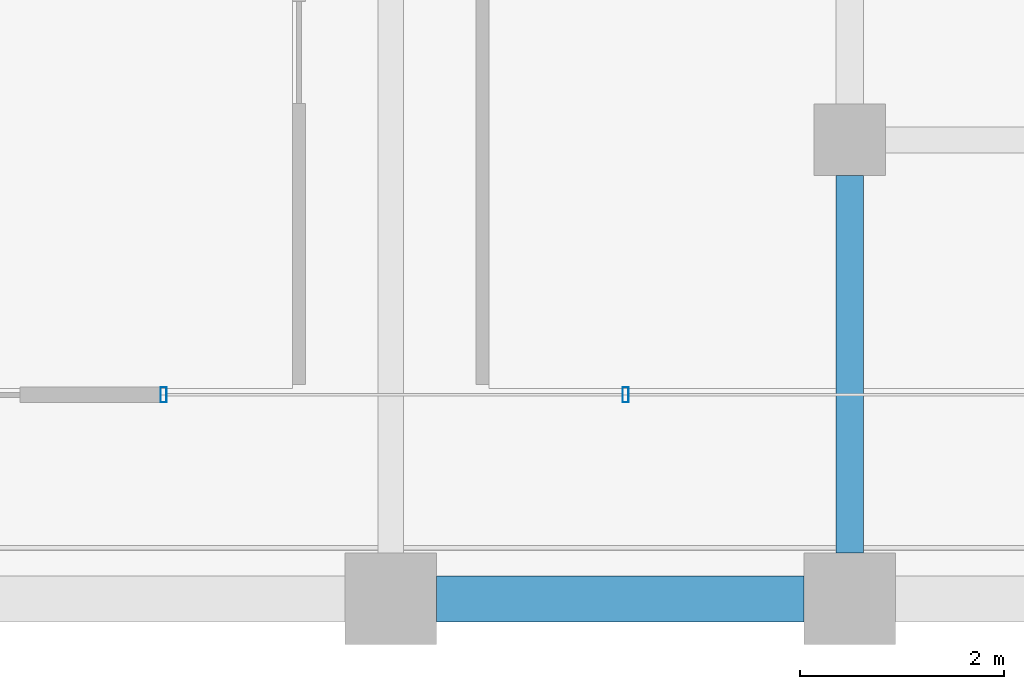
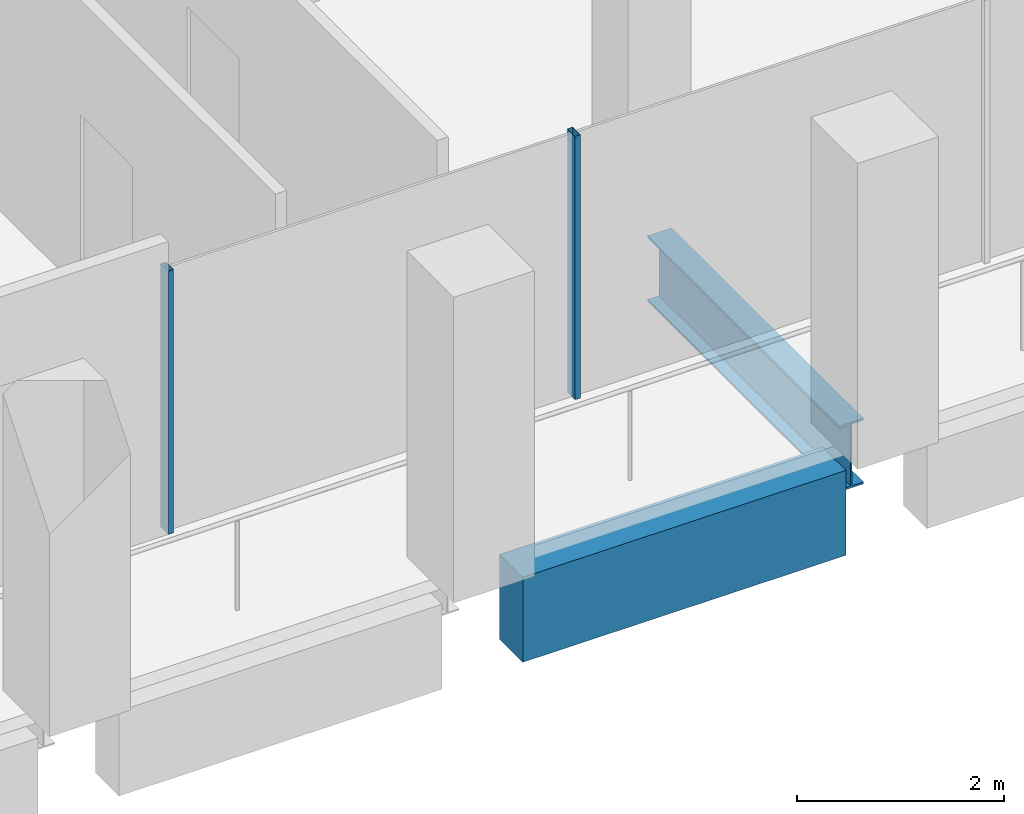
# One storey, part 9 of 40: 2 beams, 2 members, 1 element without a shape of its own.
"""IFC4 building model written with IfcOpenShell, lengths in metres."""

import ifcopenshell
import ifcopenshell.guid

model = None  # the IFC model being written
_history = None  # IfcOwnerHistory: only IFC2X3 demands one
_inside = {}  # id of a spatial element -> (the spatial element, [elements in it])
_under = {}  # id of a project, library or spatial element -> (it, [spatial elements below it])
_declared = {}  # id of a project -> (the project, [libraries it declares])
_typed = {}  # id of a type object -> (the type object, [elements of that type])
_made_of = {}  # id of a material, layer set ... -> (it, [elements and type objects made of it])


def new_model(schema):
    """Start an empty IFC model of exactly this schema.

    Asked for "IFC4X3", IfcOpenShell would pick the latest addendum, in which some entities
    have other attributes; the version numbers below select the first issue.
    IFC2X3 requires an IfcOwnerHistory on every rooted entity: one is made here for all.
    """
    global model, _history
    if schema == "IFC4X3":
        model = ifcopenshell.file(schema_version=(4, 3, 0, 0))
    else:
        model = ifcopenshell.file(schema=schema)
    _inside.clear()
    _under.clear()
    _declared.clear()
    _typed.clear()
    _made_of.clear()
    _history = None
    if model.schema == "IFC2X3":
        org = make("IfcOrganization", Name="unknown")
        user = make(
            "IfcPersonAndOrganization",
            ThePerson=make("IfcPerson", FamilyName="unknown"),
            TheOrganization=org,
        )
        app = make(
            "IfcApplication",
            ApplicationDeveloper=org,
            Version="unknown",
            ApplicationFullName="unknown",
            ApplicationIdentifier="unknown",
        )
        _history = make(
            "IfcOwnerHistory",
            OwningUser=user,
            OwningApplication=app,
            ChangeAction="ADDED",
            CreationDate=0,
        )
    return model


def make(cls, **values):
    """One entity of the class cls with the attributes given. An attribute that is None is left unset."""
    return model.create_entity(
        cls, **{name: value for name, value in values.items() if value is not None}
    )


def rooted(cls, **values):
    """An entity with a GlobalId (a new one), such as an element, a storey or a relation."""
    return make(cls, GlobalId=ifcopenshell.guid.new(), OwnerHistory=_history, **values)


def si_unit(unit_type, name, prefix=None):
    """IfcSIUnit, for example si_unit("LENGTHUNIT", "METRE", prefix="MILLI")."""
    return make("IfcSIUnit", UnitType=unit_type, Prefix=prefix, Name=name)


def assignment(units):
    """IfcUnitAssignment: the units of a project."""
    return None if units is None else make("IfcUnitAssignment", Units=units)


def point(xyz):
    """IfcCartesianPoint."""
    return None if xyz is None else make("IfcCartesianPoint", Coordinates=xyz)


def direction(xyz):
    """IfcDirection."""
    return None if xyz is None else make("IfcDirection", DirectionRatios=xyz)


def frame(location, z_axis=None, x_axis=None):
    """IfcAxis2Placement3D, a coordinate frame: its origin and axes. An axis left out is left unset."""
    return make(
        "IfcAxis2Placement3D",
        Location=point(location),
        Axis=direction(z_axis),
        RefDirection=direction(x_axis),
    )


def frame_2d(location, x_axis=None):
    """IfcAxis2Placement2D, a coordinate frame in the plane: its origin and x axis."""
    return make(
        "IfcAxis2Placement2D", Location=point(location), RefDirection=direction(x_axis)
    )


def origin():
    """The frame at (0, 0, 0) with its axes left unset."""
    return frame((0.0, 0.0, 0.0))


def origin_2d():
    """The frame at (0, 0) in the plane with its x axis left unset."""
    return frame_2d((0.0, 0.0))


def place(relative_to, where):
    """IfcLocalPlacement: puts the frame where relative to a parent placement (None: the world)."""
    return make(
        "IfcLocalPlacement", PlacementRelTo=relative_to, RelativePlacement=where
    )


def context(
    kind, dimensions, precision=None, world=None, true_north=None, identifier=None
):
    """IfcGeometricRepresentationContext, for example the 3D "Model" context."""
    return make(
        "IfcGeometricRepresentationContext",
        ContextIdentifier=identifier,
        ContextType=kind,
        CoordinateSpaceDimension=dimensions,
        Precision=precision,
        WorldCoordinateSystem=world,
        TrueNorth=true_north,
    )


def subcontext(parent, identifier, kind, view, scale=None):
    """IfcGeometricRepresentationSubContext, for example "Body" below "Model"."""
    return make(
        "IfcGeometricRepresentationSubContext",
        ContextIdentifier=identifier,
        ContextType=kind,
        ParentContext=parent,
        TargetScale=scale,
        TargetView=view,
    )


def project(units=None, contexts=None):
    """IfcProject with its units and contexts."""
    return rooted(
        "IfcProject",
        Name="project",
        RepresentationContexts=contexts,
        UnitsInContext=assignment(units),
    )


def spatial(cls, under=None, at=None, **own):
    """A site, building, storey or space (cls), placed at a placement, below another one or the project."""
    s = rooted(cls, ObjectPlacement=at, **own)
    if under is not None:
        _under.setdefault(under.id(), (under, []))[1].append(s)
    return s


def profile(cls, at=None, kind="AREA", **sizes):
    """A parametric profile (cls). Its sizes go by their IFC names, for example OverallWidth=200.0."""
    return make(cls, ProfileType=kind, Position=at, **sizes)


def rectangle(**sizes):
    """IfcRectangleProfileDef."""
    return profile("IfcRectangleProfileDef", **sizes)


def hollow_rectangle(**sizes):
    """IfcRectangleHollowProfileDef."""
    return profile("IfcRectangleHollowProfileDef", **sizes)


def i_section(**sizes):
    """IfcIShapeProfileDef."""
    return profile("IfcIShapeProfileDef", **sizes)


def extrude(swept, where, along, depth):
    """IfcExtrudedAreaSolid: the profile swept, set in the frame where, extruded along a direction by depth."""
    return make(
        "IfcExtrudedAreaSolid",
        SweptArea=swept,
        Position=where,
        ExtrudedDirection=direction(along),
        Depth=depth,
    )


def shape(context_of_items, identifier, shape_type, items):
    """IfcShapeRepresentation: the items that make up one representation, for example the "Body"."""
    return make(
        "IfcShapeRepresentation",
        ContextOfItems=context_of_items,
        RepresentationIdentifier=identifier,
        RepresentationType=shape_type,
        Items=items,
    )


def material(Name=None, Category=None):
    """IfcMaterial."""
    return make("IfcMaterial", Name=Name, Category=Category)


def material_profile(
    of_material, cross_section, Name=None, Category=None, Priority=None
):
    """IfcMaterialProfile: a cross section and its material."""
    return make(
        "IfcMaterialProfile",
        Name=Name,
        Material=of_material,
        Profile=cross_section,
        Priority=Priority,
        Category=Category,
    )


def profile_set(profiles, Name=None, composite=None):
    """IfcMaterialProfileSet."""
    return make(
        "IfcMaterialProfileSet",
        Name=Name,
        MaterialProfiles=profiles,
        CompositeProfile=composite,
    )


def made_of(thing, what):
    """Note that an element or type object is made of a material, layer set ...; save() writes the relation."""
    if what is not None:
        _made_of.setdefault(what.id(), (what, []))[1].append(thing)
    return thing


def type_object(cls, material=None, **own):
    """A type object (cls), such as IfcWallType, which elements share."""
    return made_of(rooted(cls, **own), material)


def element(
    cls,
    number,
    at=None,
    inside=None,
    cuts=None,
    type_object=None,
    material=None,
    context=None,
    identifier="Body",
    shape_type=None,
    held_by="IfcProductDefinitionShape",
    body=None,
    shapes=None,
    **own,
):
    """One element of the class cls, such as IfcWall. Its Tag is "e" and its number.

    at: its placement. inside: the storey or other place that contains it. cuts: it is an
    opening in that element (IfcRelVoidsElement). A single representation is given by context,
    identifier, shape_type and body (its items); several are given by shapes. held_by: the class
    of the entity that holds the representations. save() writes the other relations.
    """
    e = rooted(cls, Tag="e%d" % number, ObjectPlacement=at, **own)
    if body is not None:
        shapes = [shape(context, identifier, shape_type, body)]
    if shapes is not None:
        e.Representation = make(held_by, Representations=shapes)
    if inside is not None:
        _inside.setdefault(inside.id(), (inside, []))[1].append(e)
    if cuts is not None:
        rooted(
            "IfcRelVoidsElement", RelatingBuildingElement=cuts, RelatedOpeningElement=e
        )
    if type_object is not None:
        _typed.setdefault(type_object.id(), (type_object, []))[1].append(e)
    return made_of(e, material)


def aggregate(whole, parts):
    """IfcRelAggregates: a whole, such as a stair, and the parts it consists of."""
    return rooted("IfcRelAggregates", RelatingObject=whole, RelatedObjects=parts)


def save(model, path):
    """Write the relations noted so far, then the file.

    IfcRelAggregates (storeys below a building ...), IfcRelContainedInSpatialStructure (elements
    in a storey), IfcRelDefinesByType, IfcRelAssociatesMaterial and IfcRelDeclares: one each for
    every whole, place, type object, material and project.
    """
    for whole, parts in _under.values():
        aggregate(whole, parts)
    for where, things in _inside.values():
        rooted(
            "IfcRelContainedInSpatialStructure",
            RelatedElements=things,
            RelatingStructure=where,
        )
    for kind, things in _typed.values():
        rooted("IfcRelDefinesByType", RelatedObjects=things, RelatingType=kind)
    for what, things in _made_of.values():
        rooted("IfcRelAssociatesMaterial", RelatedObjects=things, RelatingMaterial=what)
    for by, libraries in _declared.values():
        rooted("IfcRelDeclares", RelatingContext=by, RelatedDefinitions=libraries)
    model.write(path)


model = new_model("IFC4")

# Units and contexts
model_context = context("Model", 3, precision=1e-05, world=origin(), true_north=direction((0.0, 1.0)))
body_context = subcontext(model_context, "Body", "Model", "MODEL_VIEW")
ifc_project = project(units=[si_unit("LENGTHUNIT", "METRE"), si_unit("AREAUNIT", "SQUARE_METRE"), si_unit("VOLUMEUNIT", "CUBIC_METRE"), si_unit("PLANEANGLEUNIT", "RADIAN"), si_unit("MASSUNIT", "GRAM", prefix="KILO")], contexts=[model_context])

# Site, building, storey
site_placement = place(None, origin())
site = spatial("IfcSite", under=ifc_project, at=site_placement, CompositionType="ELEMENT")
building_placement = place(site_placement, origin())
building = spatial("IfcBuilding", under=site, at=building_placement, Name="Altepetl Exchange Towers", CompositionType="ELEMENT")
storey_placement = place(building_placement, frame((0.0, 0.0, 176.199951171875)))
storey = spatial("IfcBuildingStorey", under=building, at=storey_placement, Name="L44", CompositionType="ELEMENT", Elevation=176.199951171875)

# Beam
ifc_material_1 = material(Name="Steel S355", Category="steel")
ifc_material_profile_1 = material_profile(ifc_material_1, i_section(OverallWidth=0.26806640625, OverallDepth=0.77392578125, WebThickness=0.015380859375, FlangeThickness=0.025390625, at=origin_2d()), Name="W30X132")
ifc_profile_set_1 = profile_set([ifc_material_profile_1], Name="Steel S355")
beam_type_1 = type_object("IfcBeamType", Name="Girder W30X132", PredefinedType="BEAM", material=ifc_profile_set_1)
beam_1_placement = place(storey_placement, frame((58.5, 31.14990234375, -0.536865234375), z_axis=(0.0, -1.0, 0.0), x_axis=(1.0, 0.0, 0.0)))
element("IfcBeam", 1, at=beam_1_placement, inside=storey, type_object=beam_type_1, Name="gd:A:L44:005", PredefinedType="BEAM", context=body_context, shape_type="SweptSolid", body=[
    extrude(i_section(OverallWidth=0.26806640625, OverallDepth=0.77392578125, WebThickness=0.015380859375, FlangeThickness=0.025390625, at=origin_2d()), origin(), (0.0, 0.0, 1.0), 3.699951171875),
])

# Curtain wall, members
ifc_material_2 = material(Name="Aluminium 6063-T6 glazing", Category="aluminium")
curtain_wall_type = type_object("IfcCurtainWallType", Name="Loggia glazing system", PredefinedType="NOTDEFINED", material=ifc_material_2)
curtain_wall_placement = place(storey_placement, origin())
curtain_wall = element("IfcCurtainWall", 2, at=curtain_wall_placement, inside=storey, type_object=curtain_wall_type, Name="CW1 run", PredefinedType="NOTDEFINED")
ifc_material_3 = material(Name="Aluminium 6063-T6", Category="aluminium")
ifc_material_profile_2 = material_profile(ifc_material_3, hollow_rectangle(XDim=0.06005859375, YDim=0.14990234375, WallThickness=0.0029296875, at=origin_2d()), Name="Mullion 60x150 aluminium")
ifc_profile_set_2 = profile_set([ifc_material_profile_2], Name="Aluminium 6063-T6")
member_type = type_object("IfcMemberType", Name="Mullion 60x150 aluminium", PredefinedType="MULLION", material=ifc_profile_set_2)
member_1_placement = place(storey_placement, frame((51.77294921875, 29.0, 0.0)))
member_1 = element("IfcMember", 3, at=member_1_placement, type_object=member_type, Name="MU1 mullion", PredefinedType="MULLION", context=body_context, shape_type="SweptSolid", body=[
    extrude(hollow_rectangle(XDim=0.06005859375, YDim=0.14990234375, WallThickness=0.0029296875, at=origin_2d()), origin(), (0.0, 0.0, 1.0), 3.10009765625),
])
member_2_placement = place(storey_placement, frame((56.303466796875, 29.0, 0.0)))
member_2 = element("IfcMember", 4, at=member_2_placement, type_object=member_type, Name="MU1 mullion", PredefinedType="MULLION", context=body_context, shape_type="SweptSolid", body=[
    extrude(hollow_rectangle(XDim=0.06005859375, YDim=0.14990234375, WallThickness=0.0029296875, at=origin_2d()), origin(), (0.0, 0.0, 1.0), 3.10009765625),
])
aggregate(curtain_wall, [member_1, member_2])

# Beam
ifc_material_4 = material(Name="Concrete C50/60 precast with cantera blanca facing", Category="concrete")
ifc_material_profile_3 = material_profile(ifc_material_4, rectangle(XDim=0.449951171875, YDim=1.0, at=origin_2d()), Name="450 x 1000")
ifc_profile_set_3 = profile_set([ifc_material_profile_3], Name="Concrete C50/60 precast with cantera blanca facing")
beam_type_2 = type_object("IfcBeamType", Name="Spandrel beam 450x1000 cantera blanca", PredefinedType="SPANDREL", material=ifc_profile_set_3)
beam_2_placement = place(storey_placement, frame((54.449951171875, 27.0, -0.64990234375), z_axis=(1.0, 0.0, 0.0), x_axis=(0.0, 1.0, 0.0)))
element("IfcBeam", 5, at=beam_2_placement, inside=storey, type_object=beam_type_2, Name="sp:A:L44:005", PredefinedType="SPANDREL", context=body_context, shape_type="SweptSolid", body=[
    extrude(rectangle(XDim=0.449951171875, YDim=1.0, at=origin_2d()), origin(), (0.0, 0.0, 1.0), 3.60009765625),
])

save(model, "model.ifc")
